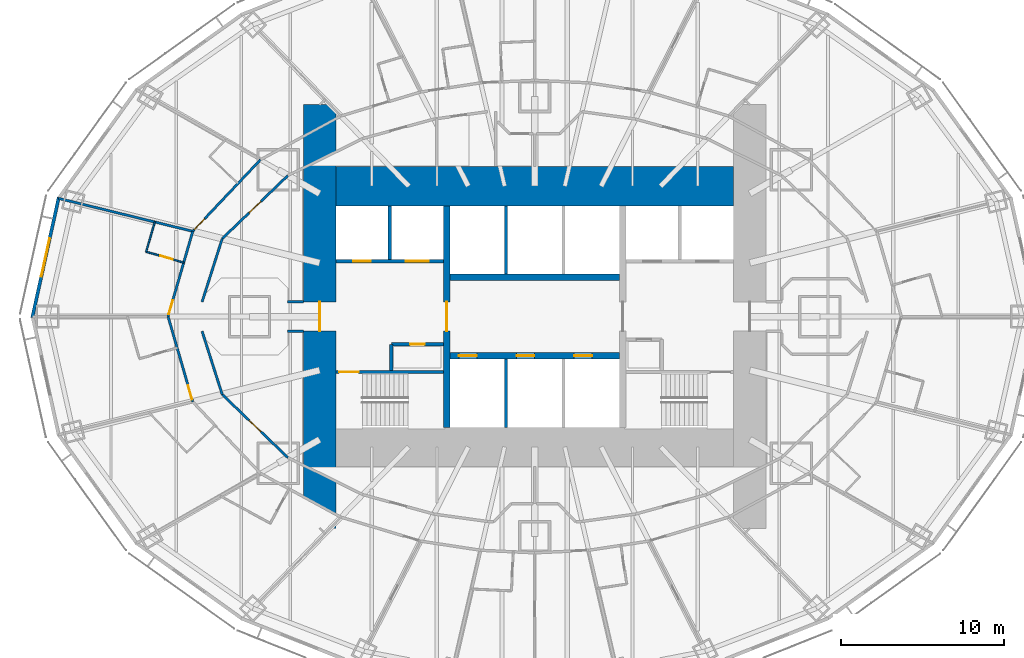
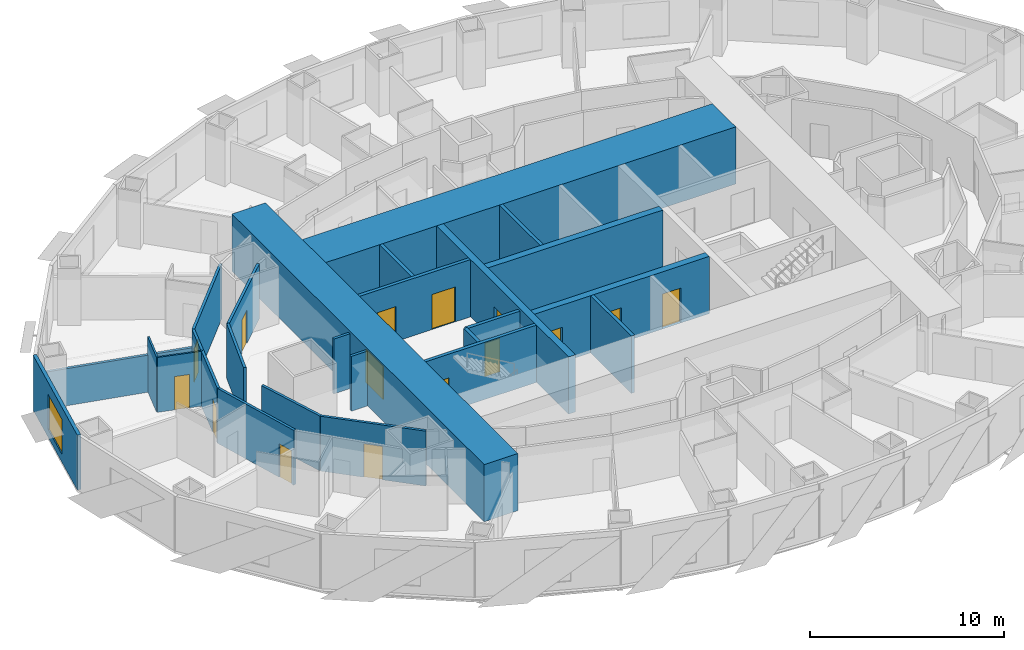
# One storey, part 6 of 15: 25 walls, 15 doors, 1 window, 16 openings.
"""IFC4 building model written with IfcOpenShell, lengths in metres."""

from ifc_helpers import new_model, si_unit, direction, frame, frame_2d, origin, place, context, subcontext, project, spatial, rectangle, extrude, material, layer, layer_set, type_object, element, fill, save


model = new_model("IFC4")

# Units and contexts
model_context = context("Model", 3, precision=1e-05, world=origin(), true_north=direction((0.0, 1.0)))
body_context = subcontext(model_context, "Body", "Model", "MODEL_VIEW")
ifc_project = project(units=[si_unit("LENGTHUNIT", "METRE"), si_unit("AREAUNIT", "SQUARE_METRE"), si_unit("VOLUMEUNIT", "CUBIC_METRE"), si_unit("PLANEANGLEUNIT", "RADIAN"), si_unit("MASSUNIT", "GRAM", prefix="KILO")], contexts=[model_context])

# Site, building, storey
site_placement = place(None, origin())
site = spatial("IfcSite", under=ifc_project, at=site_placement, CompositionType="ELEMENT")
building_placement = place(site_placement, origin())
building = spatial("IfcBuilding", under=site, at=building_placement, Name="Lantaw Convention Tower", CompositionType="ELEMENT")
storey_placement = place(building_placement, frame((0.0, 0.0, 44.199951171875)))
storey = spatial("IfcBuildingStorey", under=building, at=storey_placement, Name="L08", CompositionType="ELEMENT", Elevation=44.199951171875)

# Wall, opening, door
ifc_material_1 = material(Name="Moisture resistant gypsum board on steel studs", Category="steel")
ifc_layer_1 = layer(ifc_material_1, 0.10009765625)
ifc_layer_set_1 = layer_set([ifc_layer_1], Name="Bathroom wall 100")
wall_type_1 = type_object("IfcWallType", Name="Bathroom wall 100", PredefinedType="PARTITIONING", material=ifc_layer_set_1)
wall_1_placement = place(storey_placement, frame((-21.540771484375, 3.31103515625, 0.0), z_axis=(0.0, 0.0, 1.0), x_axis=(-0.960515628303, 0.278226037218, 0.0)))
wall_1 = element("IfcWall", 1, at=wall_1_placement, inside=storey, type_object=wall_type_1, Name="Bathroom wall 100", PredefinedType="PARTITIONING", context=body_context, shape_type="SweptSolid", body=[
    extrude(rectangle(XDim=2.39990234375, YDim=0.10009765625, at=frame_2d((1.199951171875, 0.0))), origin(), (0.0, 0.0, 1.0), 3.449951171875),
])
opening_1_placement = place(wall_1_placement, frame((0.699951171875, 0.0, 0.0)))
opening_1 = element("IfcOpeningElement", 2, at=opening_1_placement, cuts=wall_1, Name="Opening L08.41", PredefinedType="OPENING", context=body_context, shape_type="SweptSolid", body=[
    extrude(rectangle(XDim=0.800048828125, YDim=2.10009765625, at=frame_2d((0.39990234375, 1.050048828125))), frame((0.0, 0.06005859375, 0.0), z_axis=(0.0, -1.0, 0.0), x_axis=(1.0, 0.0, 0.0)), (0.0, 0.0, 1.0), 0.1201171875),
])
ifc_material_2 = material(Name="Timber", Category="wood")
door_type_1 = type_object("IfcDoorType", Name="Bathroom door 800", OperationType="SINGLE_SWING_LEFT", PredefinedType="DOOR", material=ifc_material_2)
door_1_placement = place(opening_1_placement, origin())
door_1 = element("IfcDoor", 3, at=door_1_placement, inside=storey, type_object=door_type_1, Name="Bathroom door", OperationType="SINGLE_SWING_LEFT", OverallHeight=2.10009765625, OverallWidth=0.800048828125, PredefinedType="DOOR", context=body_context, shape_type="SweptSolid", body=[
    extrude(rectangle(XDim=0.800048828125, YDim=2.10009765625, at=frame_2d((0.39990234375, 1.050048828125))), frame((0.0, 0.02490234375, 0.0), z_axis=(0.0, -1.0, 0.0), x_axis=(1.0, 0.0, 0.0)), (0.0, 0.0, 1.0), 0.050048828125),
])
fill(opening_1, door_1)

# Wall
wall_2_placement = place(storey_placement, frame((-23.845947265625, 3.978759765625, 0.0), z_axis=(0.0, 0.0, 1.0), x_axis=(0.278197767203, 0.960523816635, 0.0)))
element("IfcWall", 4, at=wall_2_placement, inside=storey, type_object=wall_type_1, Name="Bathroom wall 100", PredefinedType="PARTITIONING", context=body_context, shape_type="SweptSolid", body=[
    extrude(rectangle(XDim=1.90966796875, YDim=0.10009765625, at=frame_2d((0.954833984375, 0.0))), origin(), (0.0, 0.0, 1.0), 3.449951171875),
])

# Wall, opening, door
ifc_material_3 = material(Name="Concrete C60/75", Category="concrete")
ifc_layer_2 = layer(ifc_material_3, 0.199951171875)
ifc_layer_set_2 = layer_set([ifc_layer_2], Name="Core wall 200")
wall_type_2 = type_object("IfcWallType", Name="Core wall 200", PredefinedType="SHEAR", material=ifc_layer_set_2)
wall_3_placement = place(storey_placement, frame((-5.60009765625, -3.39990234375, 0.0), z_axis=(0.0, 0.0, 1.0), x_axis=(-1.0, 0.0, 0.0)))
wall_3 = element("IfcWall", 5, at=wall_3_placement, inside=storey, type_object=wall_type_2, Name="Core wall WS", PredefinedType="SHEAR", context=body_context, shape_type="SweptSolid", body=[
    extrude(rectangle(XDim=6.599853515625, YDim=0.199951171875, at=frame_2d((3.2998046875, 0.0))), origin(), (0.0, 0.0, 1.0), 3.60009765625),
])
opening_2_placement = place(wall_3_placement, frame((5.199951171875, 0.0, 0.0)))
opening_2 = element("IfcOpeningElement", 6, at=opening_2_placement, cuts=wall_3, Name="Opening L08.06", PredefinedType="OPENING", context=body_context, shape_type="SweptSolid", body=[
    extrude(rectangle(XDim=1.199951171875, YDim=2.10009765625, at=frame_2d((0.60009765625, 1.050048828125))), frame((0.0, 0.10986328125, 0.0), z_axis=(0.0, -1.0, 0.0), x_axis=(1.0, 0.0, 0.0)), (0.0, 0.0, 1.0), 0.219970703125),
])
ifc_material_4 = material(Name="Steel, fire rated", Category="steel")
door_type_2 = type_object("IfcDoorType", Name="Stair door FD90", OperationType="SINGLE_SWING_RIGHT", PredefinedType="DOOR", material=ifc_material_4)
door_2_placement = place(opening_2_placement, origin())
door_2 = element("IfcDoor", 7, at=door_2_placement, inside=storey, type_object=door_type_2, Name="Exit stair door", OperationType="SINGLE_SWING_RIGHT", OverallHeight=2.10009765625, OverallWidth=1.199951171875, PredefinedType="DOOR", context=body_context, shape_type="SweptSolid", body=[
    extrude(rectangle(XDim=1.199951171875, YDim=2.10009765625, at=frame_2d((0.60009765625, 1.050048828125))), frame((0.0, 0.02490234375, 0.0), z_axis=(0.0, -1.0, 0.0), x_axis=(1.0, 0.0, 0.0)), (0.0, 0.0, 1.0), 0.050048828125),
])
fill(opening_2, door_2)

ifc_layer_3 = layer(ifc_material_3, 2.0)
ifc_layer_set_3 = layer_set([ifc_layer_3], Name="Core wall 2000")
wall_type_3 = type_object("IfcWallType", Name="Core wall 2000", PredefinedType="SHEAR", material=ifc_layer_set_3)
wall_4_placement = place(storey_placement, frame((-13.199951171875, 13.0, 0.0), z_axis=(0.0, 0.0, 1.0), x_axis=(0.0, -1.0, 0.0)))
wall_4 = element("IfcWall", 8, at=wall_4_placement, inside=storey, type_object=wall_type_3, Name="Core wall W", PredefinedType="SHEAR", context=body_context, shape_type="SweptSolid", body=[
    extrude(rectangle(XDim=26.0, YDim=2.0, at=frame_2d((13.0, 0.0))), origin(), (0.0, 0.0, 1.0), 3.60009765625),
])
opening_3_placement = place(wall_4_placement, frame((12.10009765625, 0.0, 0.0)))
opening_3 = element("IfcOpeningElement", 9, at=opening_3_placement, cuts=wall_4, Name="Opening L08.08", PredefinedType="OPENING", context=body_context, shape_type="SweptSolid", body=[
    extrude(rectangle(XDim=1.800048828125, YDim=2.10009765625, at=frame_2d((0.89990234375, 1.050048828125))), frame((0.0, 1.010009765625, 0.0), z_axis=(0.0, -1.0, 0.0), x_axis=(1.0, 0.0, 0.0)), (0.0, 0.0, 1.0), 2.02001953125),
])
door_type_3 = type_object("IfcDoorType", Name="Lobby double door FD90", OperationType="DOUBLE_DOOR_DOUBLE_SWING", PredefinedType="DOOR", material=ifc_material_4)
door_3_placement = place(opening_3_placement, origin())
door_3 = element("IfcDoor", 10, at=door_3_placement, inside=storey, type_object=door_type_3, Name="Firefighting lobby door", OperationType="DOUBLE_DOOR_DOUBLE_SWING", OverallHeight=2.10009765625, OverallWidth=1.800048828125, PredefinedType="DOOR", context=body_context, shape_type="SweptSolid", body=[
    extrude(rectangle(XDim=1.800048828125, YDim=2.10009765625, at=frame_2d((0.89990234375, 1.050048828125))), frame((0.0, 0.02490234375, 0.0), z_axis=(0.0, -1.0, 0.0), x_axis=(1.0, 0.0, 0.0)), (0.0, 0.0, 1.0), 0.050048828125),
])
fill(opening_3, door_3)

# Wall
ifc_layer_4 = layer(ifc_material_3, 2.39990234375)
ifc_layer_set_4 = layer_set([ifc_layer_4], Name="Core wall 2400")
wall_type_4 = type_object("IfcWallType", Name="Core wall 2400", PredefinedType="SHEAR", material=ifc_layer_set_4)
wall_5_placement = place(storey_placement, frame((12.199951171875, 8.0, 0.0), z_axis=(0.0, 0.0, 1.0), x_axis=(-1.0, 0.0, 0.0)))
element("IfcWall", 11, at=wall_5_placement, inside=storey, type_object=wall_type_4, Name="Core wall N", PredefinedType="SHEAR", context=body_context, shape_type="SweptSolid", body=[
    extrude(rectangle(XDim=24.39990234375, YDim=2.39990234375, at=frame_2d((12.199951171875, 0.0))), origin(), (0.0, 0.0, 1.0), 3.60009765625),
])

# Wall, opening, door
ifc_layer_5 = layer(ifc_material_3, 0.39990234375)
ifc_layer_set_5 = layer_set([ifc_layer_5], Name="Core wall 400")
wall_type_5 = type_object("IfcWallType", Name="Core wall 400", PredefinedType="SHEAR", material=ifc_layer_set_5)
wall_6_placement = place(storey_placement, frame((-5.39990234375, 6.800048828125, 0.0), z_axis=(0.0, 0.0, 1.0), x_axis=(0.0, -1.0, 0.0)))
wall_6 = element("IfcWall", 12, at=wall_6_placement, inside=storey, type_object=wall_type_5, Name="Core wall XW", PredefinedType="SHEAR", context=body_context, shape_type="SweptSolid", body=[
    extrude(rectangle(XDim=13.60009765625, YDim=0.39990234375, at=frame_2d((6.800048828125, 0.0))), origin(), (0.0, 0.0, 1.0), 3.60009765625),
])
opening_4_placement = place(wall_6_placement, frame((5.89990234375, 0.0, 0.0)))
opening_4 = element("IfcOpeningElement", 13, at=opening_4_placement, cuts=wall_6, Name="Opening L08.04", PredefinedType="OPENING", context=body_context, shape_type="SweptSolid", body=[
    extrude(rectangle(XDim=1.800048828125, YDim=2.10009765625, at=frame_2d((0.89990234375, 1.050048828125))), frame((0.0, 0.2099609375, 0.0), z_axis=(0.0, -1.0, 0.0), x_axis=(1.0, 0.0, 0.0)), (0.0, 0.0, 1.0), 0.419921875),
])
door_4_placement = place(opening_4_placement, origin())
door_4 = element("IfcDoor", 14, at=door_4_placement, inside=storey, type_object=door_type_3, Name="Lift lobby door", OperationType="DOUBLE_DOOR_DOUBLE_SWING", OverallHeight=2.10009765625, OverallWidth=1.800048828125, PredefinedType="DOOR", context=body_context, shape_type="SweptSolid", body=[
    extrude(rectangle(XDim=1.800048828125, YDim=2.10009765625, at=frame_2d((0.89990234375, 1.050048828125))), frame((0.0, 0.02490234375, 0.0), z_axis=(0.0, -1.0, 0.0), x_axis=(1.0, 0.0, 0.0)), (0.0, 0.0, 1.0), 0.050048828125),
])
fill(opening_4, door_4)

# Wall, openings, doors
wall_7_placement = place(storey_placement, frame((-5.199951171875, -2.39990234375, 0.0), z_axis=(0.0, 0.0, 1.0), x_axis=(1.0, 0.0, 0.0)))
wall_7 = element("IfcWall", 15, at=wall_7_placement, inside=storey, type_object=wall_type_5, Name="Core wall BS", PredefinedType="SHEAR", context=body_context, shape_type="SweptSolid", body=[
    extrude(rectangle(XDim=10.39990234375, YDim=0.39990234375, at=frame_2d((5.199951171875, 0.0))), origin(), (0.0, 0.0, 1.0), 3.60009765625),
])
opening_5_placement = place(wall_7_placement, frame((0.550048828125, 0.0, 0.0)))
opening_5 = element("IfcOpeningElement", 16, at=opening_5_placement, cuts=wall_7, Name="Opening L08.09", PredefinedType="OPENING", context=body_context, shape_type="SweptSolid", body=[
    extrude(rectangle(XDim=1.10009765625, YDim=2.199951171875, at=frame_2d((0.550048828125, 1.10009765625))), frame((0.0, 0.2099609375, 0.0), z_axis=(0.0, -1.0, 0.0), x_axis=(1.0, 0.0, 0.0)), (0.0, 0.0, 1.0), 0.419921875),
])
opening_6_placement = place(wall_7_placement, frame((4.083251953125, 0.0, 0.0)))
opening_6 = element("IfcOpeningElement", 17, at=opening_6_placement, cuts=wall_7, Name="Opening L08.10", PredefinedType="OPENING", context=body_context, shape_type="SweptSolid", body=[
    extrude(rectangle(XDim=1.10009765625, YDim=2.199951171875, at=frame_2d((0.550048828125, 1.10009765625))), frame((0.0, 0.2099609375, 0.0), z_axis=(0.0, -1.0, 0.0), x_axis=(1.0, 0.0, 0.0)), (0.0, 0.0, 1.0), 0.419921875),
])
opening_7_placement = place(wall_7_placement, frame((7.61669921875, 0.0, 0.0)))
opening_7 = element("IfcOpeningElement", 18, at=opening_7_placement, cuts=wall_7, Name="Opening L08.11", PredefinedType="OPENING", context=body_context, shape_type="SweptSolid", body=[
    extrude(rectangle(XDim=1.10009765625, YDim=2.199951171875, at=frame_2d((0.550048828125, 1.10009765625))), frame((0.0, 0.2099609375, 0.0), z_axis=(0.0, -1.0, 0.0), x_axis=(1.0, 0.0, 0.0)), (0.0, 0.0, 1.0), 0.419921875),
])
ifc_material_5 = material(Name="Stainless steel", Category="steel")
door_type_4 = type_object("IfcDoorType", Name="Lift landing door 1100", OperationType="DOUBLE_DOOR_SLIDING", PredefinedType="DOOR", material=ifc_material_5)
door_5_placement = place(opening_5_placement, origin())
door_5 = element("IfcDoor", 19, at=door_5_placement, inside=storey, type_object=door_type_4, Name="Lift landing door H1", OperationType="DOUBLE_DOOR_SLIDING", OverallHeight=2.199951171875, OverallWidth=1.10009765625, PredefinedType="DOOR", context=body_context, shape_type="SweptSolid", body=[
    extrude(rectangle(XDim=1.10009765625, YDim=2.199951171875, at=frame_2d((0.550048828125, 1.10009765625))), frame((0.0, 0.02490234375, 0.0), z_axis=(0.0, -1.0, 0.0), x_axis=(1.0, 0.0, 0.0)), (0.0, 0.0, 1.0), 0.050048828125),
])
fill(opening_5, door_5)
door_6_placement = place(opening_6_placement, origin())
door_6 = element("IfcDoor", 20, at=door_6_placement, inside=storey, type_object=door_type_4, Name="Lift landing door H2", OperationType="DOUBLE_DOOR_SLIDING", OverallHeight=2.199951171875, OverallWidth=1.10009765625, PredefinedType="DOOR", context=body_context, shape_type="SweptSolid", body=[
    extrude(rectangle(XDim=1.10009765625, YDim=2.199951171875, at=frame_2d((0.550048828125, 1.10009765625))), frame((0.0, 0.02490234375, 0.0), z_axis=(0.0, -1.0, 0.0), x_axis=(1.0, 0.0, 0.0)), (0.0, 0.0, 1.0), 0.050048828125),
])
fill(opening_6, door_6)
door_7_placement = place(opening_7_placement, origin())
door_7 = element("IfcDoor", 21, at=door_7_placement, inside=storey, type_object=door_type_4, Name="Lift landing door H3", OperationType="DOUBLE_DOOR_SLIDING", OverallHeight=2.199951171875, OverallWidth=1.10009765625, PredefinedType="DOOR", context=body_context, shape_type="SweptSolid", body=[
    extrude(rectangle(XDim=1.10009765625, YDim=2.199951171875, at=frame_2d((0.550048828125, 1.10009765625))), frame((0.0, 0.02490234375, 0.0), z_axis=(0.0, -1.0, 0.0), x_axis=(1.0, 0.0, 0.0)), (0.0, 0.0, 1.0), 0.050048828125),
])
fill(opening_7, door_7)

# Wall
wall_8_placement = place(storey_placement, frame((5.199951171875, 2.39990234375, 0.0), z_axis=(0.0, 0.0, 1.0), x_axis=(-1.0, 0.0, 0.0)))
element("IfcWall", 22, at=wall_8_placement, inside=storey, type_object=wall_type_5, Name="Core wall BN", PredefinedType="SHEAR", context=body_context, shape_type="SweptSolid", body=[
    extrude(rectangle(XDim=10.39990234375, YDim=0.39990234375, at=frame_2d((5.199951171875, 0.0))), origin(), (0.0, 0.0, 1.0), 3.60009765625),
])

# Wall, opening, door
ifc_material_6 = material(Name="Gypsum board on steel studs, fire rated", Category="steel")
ifc_layer_6 = layer(ifc_material_6, 0.14990234375)
ifc_layer_set_6 = layer_set([ifc_layer_6], Name="Corridor wall 150 EI 60")
wall_type_6 = type_object("IfcWallType", Name="Corridor wall 150 EI 60", PredefinedType="PARTITIONING", material=ifc_layer_set_6)
wall_9_placement = place(storey_placement, frame((-16.8349609375, 9.6201171875, 0.0), z_axis=(0.0, 0.0, 1.0), x_axis=(-0.687062608696, -0.726598218916, 0.0)))
wall_9 = element("IfcWall", 23, at=wall_9_placement, inside=storey, type_object=wall_type_6, Name="Corridor wall 150", PredefinedType="PARTITIONING", context=body_context, shape_type="SweptSolid", body=[
    extrude(rectangle(XDim=6.039306640625, YDim=0.14990234375, at=frame_2d((3.01953125, 0.0))), origin(), (0.0, 0.0, 1.0), 3.449951171875),
])
opening_8_placement = place(wall_9_placement, frame((4.989013671875, 0.0, 0.0)))
opening_8 = element("IfcOpeningElement", 24, at=opening_8_placement, cuts=wall_9, Name="Opening L08.40", PredefinedType="OPENING", context=body_context, shape_type="SweptSolid", body=[
    extrude(rectangle(XDim=0.89990234375, YDim=2.10009765625, at=frame_2d((0.449951171875, 1.050048828125))), frame((0.0, 0.0849609375, 0.0), z_axis=(0.0, -1.0, 0.0), x_axis=(1.0, 0.0, 0.0)), (0.0, 0.0, 1.0), 0.169921875),
])
door_type_5 = type_object("IfcDoorType", Name="Guest room entrance door FD30S", OperationType="SINGLE_SWING_LEFT", PredefinedType="DOOR", material=ifc_material_4)
door_8_placement = place(opening_8_placement, origin())
door_8 = element("IfcDoor", 25, at=door_8_placement, inside=storey, type_object=door_type_5, Name="Guest room entrance door", OperationType="SINGLE_SWING_LEFT", OverallHeight=2.10009765625, OverallWidth=0.89990234375, PredefinedType="DOOR", context=body_context, shape_type="SweptSolid", body=[
    extrude(rectangle(XDim=0.89990234375, YDim=2.10009765625, at=frame_2d((0.449951171875, 1.050048828125))), frame((0.0, 0.02490234375, 0.0), z_axis=(0.0, -1.0, 0.0), x_axis=(1.0, 0.0, 0.0)), (0.0, 0.0, 1.0), 0.050048828125),
])
fill(opening_8, door_8)

wall_10_placement = place(storey_placement, frame((-20.984375, 5.23193359375, 0.0), z_axis=(0.0, 0.0, 1.0), x_axis=(-0.278247435376, -0.960509429785, 0.0)))
wall_10 = element("IfcWall", 26, at=wall_10_placement, inside=storey, type_object=wall_type_6, Name="Corridor wall 150", PredefinedType="PARTITIONING", context=body_context, shape_type="SweptSolid", body=[
    extrude(rectangle(XDim=5.447021484375, YDim=0.14990234375, at=frame_2d((2.7236328125, 0.0))), origin(), (0.0, 0.0, 1.0), 3.449951171875),
])
opening_9_placement = place(wall_10_placement, frame((4.397216796875, 0.0, 0.0)))
opening_9 = element("IfcOpeningElement", 27, at=opening_9_placement, cuts=wall_10, Name="Opening L08.42", PredefinedType="OPENING", context=body_context, shape_type="SweptSolid", body=[
    extrude(rectangle(XDim=0.89990234375, YDim=2.10009765625, at=frame_2d((0.449951171875, 1.050048828125))), frame((0.0, 0.0849609375, 0.0), z_axis=(0.0, -1.0, 0.0), x_axis=(1.0, 0.0, 0.0)), (0.0, 0.0, 1.0), 0.169921875),
])
door_9_placement = place(opening_9_placement, origin())
door_9 = element("IfcDoor", 28, at=door_9_placement, inside=storey, type_object=door_type_5, Name="Guest room entrance door", OperationType="SINGLE_SWING_LEFT", OverallHeight=2.10009765625, OverallWidth=0.89990234375, PredefinedType="DOOR", context=body_context, shape_type="SweptSolid", body=[
    extrude(rectangle(XDim=0.89990234375, YDim=2.10009765625, at=frame_2d((0.449951171875, 1.050048828125))), frame((0.0, 0.02490234375, 0.0), z_axis=(0.0, -1.0, 0.0), x_axis=(1.0, 0.0, 0.0)), (0.0, 0.0, 1.0), 0.050048828125),
])
fill(opening_9, door_9)

wall_11_placement = place(storey_placement, frame((-22.5, 0.0, 0.0), z_axis=(0.0, 0.0, 1.0), x_axis=(0.278247435376, -0.960509429785, 0.0)))
wall_11 = element("IfcWall", 29, at=wall_11_placement, inside=storey, type_object=wall_type_6, Name="Corridor wall 150", PredefinedType="PARTITIONING", context=body_context, shape_type="SweptSolid", body=[
    extrude(rectangle(XDim=5.447021484375, YDim=0.14990234375, at=frame_2d((2.7236328125, 0.0))), origin(), (0.0, 0.0, 1.0), 3.449951171875),
])
opening_10_placement = place(wall_11_placement, frame((4.397216796875, 0.0, 0.0)))
opening_10 = element("IfcOpeningElement", 30, at=opening_10_placement, cuts=wall_11, Name="Opening L08.44", PredefinedType="OPENING", context=body_context, shape_type="SweptSolid", body=[
    extrude(rectangle(XDim=0.89990234375, YDim=2.10009765625, at=frame_2d((0.449951171875, 1.050048828125))), frame((0.0, 0.0849609375, 0.0), z_axis=(0.0, -1.0, 0.0), x_axis=(1.0, 0.0, 0.0)), (0.0, 0.0, 1.0), 0.169921875),
])
door_10_placement = place(opening_10_placement, origin())
door_10 = element("IfcDoor", 31, at=door_10_placement, inside=storey, type_object=door_type_5, Name="Guest room entrance door", OperationType="SINGLE_SWING_LEFT", OverallHeight=2.10009765625, OverallWidth=0.89990234375, PredefinedType="DOOR", context=body_context, shape_type="SweptSolid", body=[
    extrude(rectangle(XDim=0.89990234375, YDim=2.10009765625, at=frame_2d((0.449951171875, 1.050048828125))), frame((0.0, 0.02490234375, 0.0), z_axis=(0.0, -1.0, 0.0), x_axis=(1.0, 0.0, 0.0)), (0.0, 0.0, 1.0), 0.050048828125),
])
fill(opening_10, door_10)

wall_12_placement = place(storey_placement, frame((-15.1474609375, 8.65576171875, 0.0), z_axis=(0.0, 0.0, 1.0), x_axis=(-0.720837261072, -0.693104352209, 0.0)))
wall_12 = element("IfcWall", 32, at=wall_12_placement, inside=storey, type_object=wall_type_6, Name="Corridor wall 150", PredefinedType="PARTITIONING", context=body_context, shape_type="SweptSolid", body=[
    extrude(rectangle(XDim=5.590087890625, YDim=0.14990234375, at=frame_2d((2.794921875, 0.0))), origin(), (0.0, 0.0, 1.0), 3.449951171875),
])
opening_11_placement = place(wall_12_placement, frame((2.294921875, 0.0, 0.0)))
opening_11 = element("IfcOpeningElement", 33, at=opening_11_placement, cuts=wall_12, Name="Opening L08.21", PredefinedType="OPENING", context=body_context, shape_type="SweptSolid", body=[
    extrude(rectangle(XDim=1.0, YDim=2.10009765625, at=frame_2d((0.5, 1.050048828125))), frame((0.0, 0.0849609375, 0.0), z_axis=(0.0, -1.0, 0.0), x_axis=(1.0, 0.0, 0.0)), (0.0, 0.0, 1.0), 0.169921875),
])
door_type_6 = type_object("IfcDoorType", Name="Service door 1000 FD30", OperationType="SINGLE_SWING_LEFT", PredefinedType="DOOR", material=ifc_material_4)
door_11_placement = place(opening_11_placement, origin())
door_11 = element("IfcDoor", 34, at=door_11_placement, inside=storey, type_object=door_type_6, Name="Housekeeping room door", OperationType="SINGLE_SWING_LEFT", OverallHeight=2.10009765625, OverallWidth=1.0, PredefinedType="DOOR", context=body_context, shape_type="SweptSolid", body=[
    extrude(rectangle(XDim=1.0, YDim=2.10009765625, at=frame_2d((0.5, 1.050048828125))), frame((0.0, 0.02490234375, 0.0), z_axis=(0.0, -1.0, 0.0), x_axis=(1.0, 0.0, 0.0)), (0.0, 0.0, 1.0), 0.050048828125),
])
fill(opening_11, door_11)

# Walls
for number, where, z_axis, x_axis, name in (
    (35, (-19.177001953125, 4.78125, 0.0), (0.0, 0.0, 1.0), (-0.303505448228, -0.952829702988, 0.0), "Corridor wall 150"),
    (36, (-20.413330078125, -0.89990234375, 0.0), (0.0, 0.0, 1.0), (0.303505448228, -0.952829702988, 0.0), "Corridor wall 150"),
):
    element("IfcWall", number, at=place(storey_placement, frame(where, z_axis=z_axis, x_axis=x_axis)), inside=storey, type_object=wall_type_6, Name=name, PredefinedType="PARTITIONING", context=body_context, shape_type="SweptSolid", body=[
        extrude(rectangle(XDim=4.073486328125, YDim=0.14990234375, at=frame_2d((2.03662109375, 0.0))), origin(), (0.0, 0.0, 1.0), 3.449951171875),
    ])

# Wall, opening, door
wall_13_placement = place(storey_placement, frame((-19.177001953125, -4.78125, 0.0), z_axis=(0.0, 0.0, 1.0), x_axis=(0.720837261072, -0.693104352209, 0.0)))
wall_13 = element("IfcWall", 37, at=wall_13_placement, inside=storey, type_object=wall_type_6, Name="Corridor wall 150", PredefinedType="PARTITIONING", context=body_context, shape_type="SweptSolid", body=[
    extrude(rectangle(XDim=5.590087890625, YDim=0.14990234375, at=frame_2d((2.794921875, 0.0))), origin(), (0.0, 0.0, 1.0), 3.449951171875),
])
opening_12_placement = place(wall_13_placement, frame((2.294921875, 0.0, 0.0)))
opening_12 = element("IfcOpeningElement", 38, at=opening_12_placement, cuts=wall_13, Name="Opening L08.23", PredefinedType="OPENING", context=body_context, shape_type="SweptSolid", body=[
    extrude(rectangle(XDim=1.0, YDim=2.10009765625, at=frame_2d((0.5, 1.050048828125))), frame((0.0, 0.0849609375, 0.0), z_axis=(0.0, -1.0, 0.0), x_axis=(1.0, 0.0, 0.0)), (0.0, 0.0, 1.0), 0.169921875),
])
door_12_placement = place(opening_12_placement, origin())
door_12 = element("IfcDoor", 39, at=door_12_placement, inside=storey, type_object=door_type_6, Name="Staff room door", OperationType="SINGLE_SWING_LEFT", OverallHeight=2.10009765625, OverallWidth=1.0, PredefinedType="DOOR", context=body_context, shape_type="SweptSolid", body=[
    extrude(rectangle(XDim=1.0, YDim=2.10009765625, at=frame_2d((0.5, 1.050048828125))), frame((0.0, 0.02490234375, 0.0), z_axis=(0.0, -1.0, 0.0), x_axis=(1.0, 0.0, 0.0)), (0.0, 0.0, 1.0), 0.050048828125),
])
fill(opening_12, door_12)

# Walls
for number, where, z_axis, x_axis, name in (
    (40, (-14.199951171875, -0.89990234375, 0.0), (0.0, 0.0, 1.0), (-1.0, 0.0, 0.0), "Corridor wall 150"),
    (41, (-14.199951171875, 0.89990234375, 0.0), (0.0, 0.0, 1.0), (-1.0, 0.0, 0.0), "Corridor wall 150"),
):
    element("IfcWall", number, at=place(storey_placement, frame(where, z_axis=z_axis, x_axis=x_axis)), inside=storey, type_object=wall_type_6, Name=name, PredefinedType="PARTITIONING", context=body_context, shape_type="SweptSolid", body=[
        extrude(rectangle(XDim=0.965087890625, YDim=0.14990234375, at=frame_2d((0.482421875, 0.0))), origin(), (0.0, 0.0, 1.0), 3.449951171875),
    ])

# Wall, opening, window
ifc_material_7 = material(Name="Insulated aluminium panel on steel frame", Category="steel")
ifc_layer_7 = layer(ifc_material_7, 0.199951171875)
ifc_layer_set_7 = layer_set([ifc_layer_7], Name="External wall 200")
wall_type_7 = type_object("IfcWallType", Name="External wall 200", PredefinedType="SOLIDWALL", material=ifc_layer_set_7)
wall_14_placement = place(storey_placement, frame((-29.207763671875, 7.318115234375, 0.0), z_axis=(0.0, 0.0, 1.0), x_axis=(-0.215238065514, -0.976561608478, 0.0)))
wall_14 = element("IfcWall", 42, at=wall_14_placement, inside=storey, type_object=wall_type_7, Name="Facade panel wall", PredefinedType="SOLIDWALL", context=body_context, shape_type="SweptSolid", body=[
    extrude(rectangle(XDim=7.562255859375, YDim=0.199951171875, at=frame_2d((3.78125, 0.0))), origin(), (0.0, 0.0, 1.0), 3.449951171875),
])
opening_13_placement = place(wall_14_placement, frame((2.581298828125, 0.0, 0.5)))
opening_13 = element("IfcOpeningElement", 43, at=opening_13_placement, cuts=wall_14, Name="Opening W1", PredefinedType="OPENING", context=body_context, shape_type="SweptSolid", body=[
    extrude(rectangle(XDim=2.39990234375, YDim=2.199951171875, at=frame_2d((1.199951171875, 1.10009765625))), frame((0.0, 0.10986328125, 0.0), z_axis=(0.0, -1.0, 0.0), x_axis=(1.0, 0.0, 0.0)), (0.0, 0.0, 1.0), 0.219970703125),
])
ifc_material_8 = material(Name="Aluminium frame, clear insulating glass", Category="aluminium")
window_type = type_object("IfcWindowType", Name="Guest room window 2400x2200", PartitioningType="SINGLE_PANEL", PredefinedType="WINDOW", material=ifc_material_8)
window_placement = place(opening_13_placement, origin())
window = element("IfcWindow", 44, at=window_placement, inside=storey, type_object=window_type, Name="Guest room window", OverallHeight=2.199951171875, OverallWidth=2.39990234375, PartitioningType="SINGLE_PANEL", PredefinedType="WINDOW", context=body_context, shape_type="SweptSolid", body=[
    extrude(rectangle(XDim=2.39990234375, YDim=2.199951171875, at=frame_2d((1.199951171875, 1.10009765625))), frame((0.0, 0.030029296875, 0.0), z_axis=(0.0, -1.0, 0.0), x_axis=(1.0, 0.0, 0.0)), (0.0, 0.0, 1.0), 0.06005859375),
])
fill(opening_13, window)

# Wall
ifc_material_9 = material(Name="Gypsum board on steel studs, acoustic", Category="steel")
ifc_layer_8 = layer(ifc_material_9, 0.14990234375)
ifc_layer_set_8 = layer_set([ifc_layer_8], Name="Guest room party wall 150")
wall_type_8 = type_object("IfcWallType", Name="Guest room party wall 150", PredefinedType="PARTITIONING", material=ifc_layer_set_8)
wall_15_placement = place(storey_placement, frame((-29.221923828125, 7.253662109375, 0.0), z_axis=(0.0, 0.0, 1.0), x_axis=(0.971178166182, -0.238354713676, 0.0)))
element("IfcWall", 45, at=wall_15_placement, inside=storey, type_object=wall_type_8, Name="Guest room party wall 150", PredefinedType="PARTITIONING", context=body_context, shape_type="SweptSolid", body=[
    extrude(rectangle(XDim=8.48193359375, YDim=0.14990234375, at=frame_2d((4.240966796875, 0.0))), origin(), (0.0, 0.0, 1.0), 2.33251953125),
])

# Wall, opening, door
ifc_material_10 = material(Name="Concrete blockwork, fire rated", Category="masonry")
ifc_layer_9 = layer(ifc_material_10, 0.199951171875)
ifc_layer_set_9 = layer_set([ifc_layer_9], Name="Plant room wall 200 EI 120")
wall_type_9 = type_object("IfcWallType", Name="Plant room wall 200 EI 120", PredefinedType="SOLIDWALL", material=ifc_layer_set_9)
wall_16_placement = place(storey_placement, frame((-5.60009765625, -1.699951171875, 0.0), z_axis=(0.0, 0.0, 1.0), x_axis=(-1.0, 0.0, 0.0)))
wall_16 = element("IfcWall", 46, at=wall_16_placement, inside=storey, type_object=wall_type_9, Name="Plant room wall 200", PredefinedType="SOLIDWALL", context=body_context, shape_type="SweptSolid", body=[
    extrude(rectangle(XDim=3.199951171875, YDim=0.199951171875, at=frame_2d((1.60009765625, 0.0))), origin(), (0.0, 0.0, 1.0), 3.449951171875),
])
opening_14_placement = place(wall_16_placement, frame((1.14990234375, 0.0, 0.0)))
opening_14 = element("IfcOpeningElement", 47, at=opening_14_placement, cuts=wall_16, Name="Opening L08.01", PredefinedType="OPENING", context=body_context, shape_type="SweptSolid", body=[
    extrude(rectangle(XDim=0.89990234375, YDim=2.10009765625, at=frame_2d((0.449951171875, 1.050048828125))), frame((0.0, 0.10986328125, 0.0), z_axis=(0.0, -1.0, 0.0), x_axis=(1.0, 0.0, 0.0)), (0.0, 0.0, 1.0), 0.219970703125),
])
door_type_7 = type_object("IfcDoorType", Name="Service door 900 FD60", OperationType="SINGLE_SWING_LEFT", PredefinedType="DOOR", material=ifc_material_4)
door_13_placement = place(opening_14_placement, origin())
door_13 = element("IfcDoor", 48, at=door_13_placement, inside=storey, type_object=door_type_7, Name="IT and comms room door", OperationType="SINGLE_SWING_LEFT", OverallHeight=2.10009765625, OverallWidth=0.89990234375, PredefinedType="DOOR", context=body_context, shape_type="SweptSolid", body=[
    extrude(rectangle(XDim=0.89990234375, YDim=2.10009765625, at=frame_2d((0.449951171875, 1.050048828125))), frame((0.0, 0.02490234375, 0.0), z_axis=(0.0, -1.0, 0.0), x_axis=(1.0, 0.0, 0.0)), (0.0, 0.0, 1.0), 0.050048828125),
])
fill(opening_14, door_13)

# Walls
wall_17_placement = place(storey_placement, frame((-8.800048828125, -1.699951171875, 0.0), z_axis=(0.0, 0.0, 1.0), x_axis=(0.0, -1.0, 0.0)))
element("IfcWall", 49, at=wall_17_placement, inside=storey, type_object=wall_type_9, Name="Plant room wall 200", PredefinedType="SOLIDWALL", context=body_context, shape_type="SweptSolid", body=[
    extrude(rectangle(XDim=1.60009765625, YDim=0.199951171875, at=frame_2d((0.800048828125, 0.0))), origin(), (0.0, 0.0, 1.0), 3.449951171875),
])
ifc_layer_10 = layer(ifc_material_10, 0.199951171875)
ifc_layer_set_10 = layer_set([ifc_layer_10], Name="Shaft wall 200")
wall_type_10 = type_object("IfcWallType", Name="Shaft wall 200", PredefinedType="SOLIDWALL", material=ifc_layer_set_10)
wall_18_placement = place(storey_placement, frame((-1.7666015625, 2.60009765625, 0.0), z_axis=(0.0, 0.0, 1.0), x_axis=(0.0, 1.0, 0.0)))
element("IfcWall", 50, at=wall_18_placement, inside=storey, type_object=wall_type_10, Name="Shaft wall DN1", PredefinedType="SOLIDWALL", context=body_context, shape_type="SweptSolid", body=[
    extrude(rectangle(XDim=4.199951171875, YDim=0.199951171875, at=frame_2d((2.10009765625, 0.0))), origin(), (0.0, 0.0, 1.0), 3.60009765625),
])

# Wall, openings, doors
wall_19_placement = place(storey_placement, frame((-12.199951171875, 3.39990234375, 0.0), z_axis=(0.0, 0.0, 1.0), x_axis=(1.0, 0.0, 0.0)))
wall_19 = element("IfcWall", 51, at=wall_19_placement, inside=storey, type_object=wall_type_10, Name="Shaft wall WN", PredefinedType="SOLIDWALL", context=body_context, shape_type="SweptSolid", body=[
    extrude(rectangle(XDim=6.599853515625, YDim=0.199951171875, at=frame_2d((3.2998046875, 0.0))), origin(), (0.0, 0.0, 1.0), 3.60009765625),
])
opening_15_placement = place(wall_19_placement, frame((1.050048828125, 0.0, 0.0)))
opening_15 = element("IfcOpeningElement", 52, at=opening_15_placement, cuts=wall_19, Name="Opening L08.12", PredefinedType="OPENING", context=body_context, shape_type="SweptSolid", body=[
    extrude(rectangle(XDim=1.10009765625, YDim=2.199951171875, at=frame_2d((0.550048828125, 1.10009765625))), frame((0.0, 0.10986328125, 0.0), z_axis=(0.0, -1.0, 0.0), x_axis=(1.0, 0.0, 0.0)), (0.0, 0.0, 1.0), 0.219970703125),
])
opening_16_placement = place(wall_19_placement, frame((4.300048828125, 0.0, 0.0)))
opening_16 = element("IfcOpeningElement", 53, at=opening_16_placement, cuts=wall_19, Name="Opening L08.13", PredefinedType="OPENING", context=body_context, shape_type="SweptSolid", body=[
    extrude(rectangle(XDim=1.39990234375, YDim=2.199951171875, at=frame_2d((0.699951171875, 1.10009765625))), frame((0.0, 0.10986328125, 0.0), z_axis=(0.0, -1.0, 0.0), x_axis=(1.0, 0.0, 0.0)), (0.0, 0.0, 1.0), 0.219970703125),
])
door_14_placement = place(opening_15_placement, origin())
door_14 = element("IfcDoor", 54, at=door_14_placement, inside=storey, type_object=door_type_4, Name="Lift landing door FF1", OperationType="DOUBLE_DOOR_SLIDING", OverallHeight=2.199951171875, OverallWidth=1.10009765625, PredefinedType="DOOR", context=body_context, shape_type="SweptSolid", body=[
    extrude(rectangle(XDim=1.10009765625, YDim=2.199951171875, at=frame_2d((0.550048828125, 1.10009765625))), frame((0.0, 0.02490234375, 0.0), z_axis=(0.0, -1.0, 0.0), x_axis=(1.0, 0.0, 0.0)), (0.0, 0.0, 1.0), 0.050048828125),
])
fill(opening_15, door_14)
door_type_8 = type_object("IfcDoorType", Name="Lift landing door 1400", OperationType="DOUBLE_DOOR_SLIDING", PredefinedType="DOOR", material=ifc_material_5)
door_15_placement = place(opening_16_placement, origin())
door_15 = element("IfcDoor", 55, at=door_15_placement, inside=storey, type_object=door_type_8, Name="Lift landing door SV1", OperationType="DOUBLE_DOOR_SLIDING", OverallHeight=2.199951171875, OverallWidth=1.39990234375, PredefinedType="DOOR", context=body_context, shape_type="SweptSolid", body=[
    extrude(rectangle(XDim=1.39990234375, YDim=2.199951171875, at=frame_2d((0.699951171875, 1.10009765625))), frame((0.0, 0.02490234375, 0.0), z_axis=(0.0, -1.0, 0.0), x_axis=(1.0, 0.0, 0.0)), (0.0, 0.0, 1.0), 0.050048828125),
])
fill(opening_16, door_15)

# Walls
wall_20_placement = place(storey_placement, frame((-8.89990234375, 3.5, 0.0), z_axis=(0.0, 0.0, 1.0), x_axis=(0.0, 1.0, 0.0)))
element("IfcWall", 56, at=wall_20_placement, inside=storey, type_object=wall_type_10, Name="Shaft wall WD", PredefinedType="SOLIDWALL", context=body_context, shape_type="SweptSolid", body=[
    extrude(rectangle(XDim=3.300048828125, YDim=0.199951171875, at=frame_2d((1.64990234375, 0.0))), origin(), (0.0, 0.0, 1.0), 3.60009765625),
])
ifc_layer_11 = layer(ifc_material_10, 0.199951171875)
ifc_layer_set_11 = layer_set([ifc_layer_11], Name="Shaft wall 200 load-bearing")
wall_type_11 = type_object("IfcWallType", Name="Shaft wall 200 load-bearing", PredefinedType="SOLIDWALL", material=ifc_layer_set_11)
wall_21_placement = place(storey_placement, frame((-1.7666015625, -2.60009765625, 0.0), z_axis=(0.0, 0.0, 1.0), x_axis=(0.0, -1.0, 0.0)))
element("IfcWall", 57, at=wall_21_placement, inside=storey, type_object=wall_type_11, Name="Shaft wall DS1", PredefinedType="SOLIDWALL", context=body_context, shape_type="SweptSolid", body=[
    extrude(rectangle(XDim=4.199951171875, YDim=0.199951171875, at=frame_2d((2.10009765625, 0.0))), origin(), (0.0, 0.0, 1.0), 3.60009765625),
])

save(model, "model.ifc")
